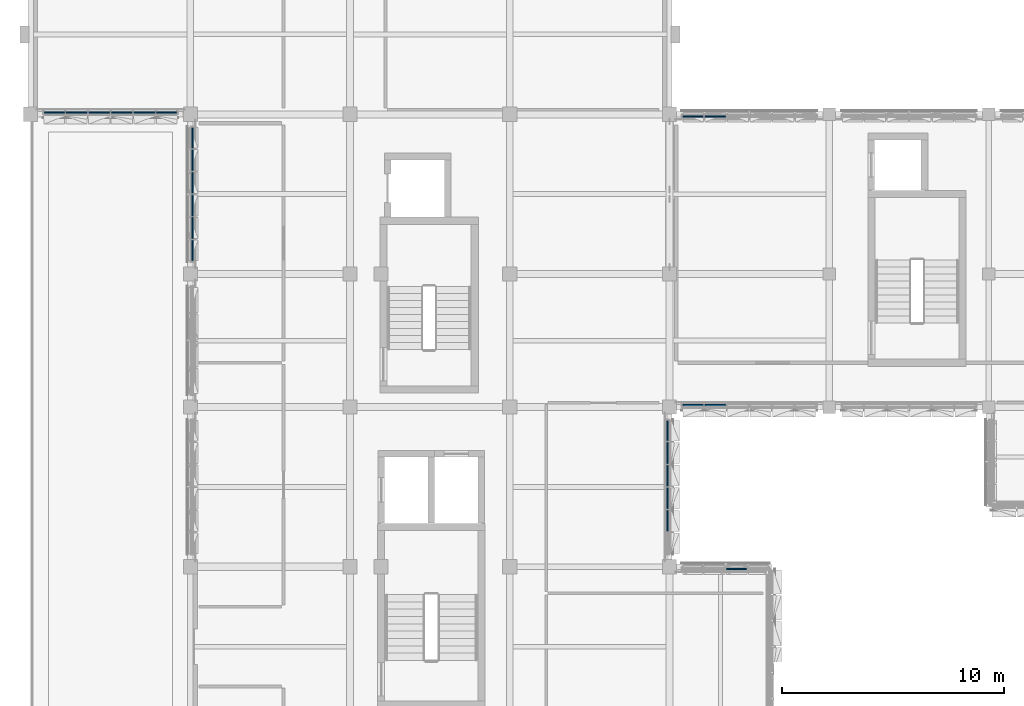
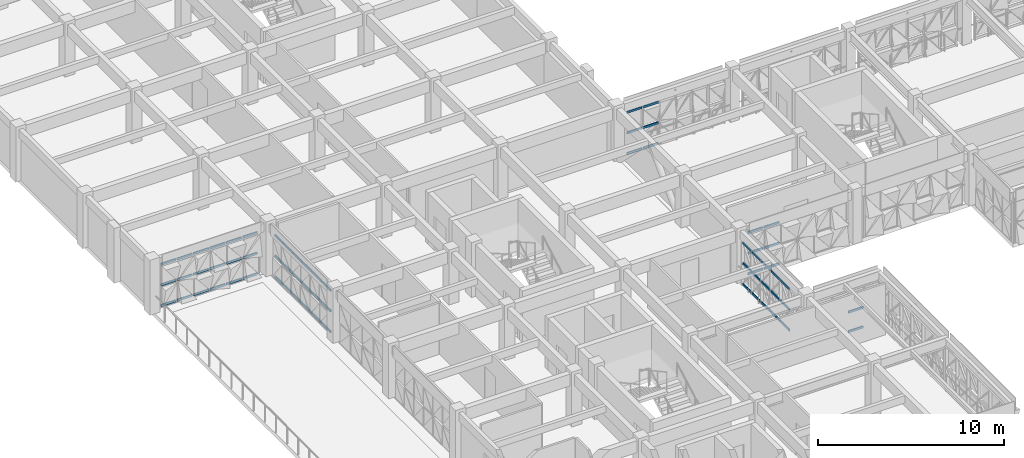
# One storey, part 24 of 85: 65 members, 6 elements without a shape of their own.
"""IFC4 building model written with IfcOpenShell, lengths in metres."""

import ifcopenshell
import ifcopenshell.guid

model = None  # the IFC model being written
_history = None  # IfcOwnerHistory: only IFC2X3 demands one
_inside = {}  # id of a spatial element -> (the spatial element, [elements in it])
_under = {}  # id of a project, library or spatial element -> (it, [spatial elements below it])
_declared = {}  # id of a project -> (the project, [libraries it declares])
_typed = {}  # id of a type object -> (the type object, [elements of that type])
_made_of = {}  # id of a material, layer set ... -> (it, [elements and type objects made of it])


def new_model(schema):
    """Start an empty IFC model of exactly this schema.

    Asked for "IFC4X3", IfcOpenShell would pick the latest addendum, in which some entities
    have other attributes; the version numbers below select the first issue.
    IFC2X3 requires an IfcOwnerHistory on every rooted entity: one is made here for all.
    """
    global model, _history
    if schema == "IFC4X3":
        model = ifcopenshell.file(schema_version=(4, 3, 0, 0))
    else:
        model = ifcopenshell.file(schema=schema)
    _inside.clear()
    _under.clear()
    _declared.clear()
    _typed.clear()
    _made_of.clear()
    _history = None
    if model.schema == "IFC2X3":
        org = make("IfcOrganization", Name="unknown")
        user = make(
            "IfcPersonAndOrganization",
            ThePerson=make("IfcPerson", FamilyName="unknown"),
            TheOrganization=org,
        )
        app = make(
            "IfcApplication",
            ApplicationDeveloper=org,
            Version="unknown",
            ApplicationFullName="unknown",
            ApplicationIdentifier="unknown",
        )
        _history = make(
            "IfcOwnerHistory",
            OwningUser=user,
            OwningApplication=app,
            ChangeAction="ADDED",
            CreationDate=0,
        )
    return model


def make(cls, **values):
    """One entity of the class cls with the attributes given. An attribute that is None is left unset."""
    return model.create_entity(
        cls, **{name: value for name, value in values.items() if value is not None}
    )


def rooted(cls, **values):
    """An entity with a GlobalId (a new one), such as an element, a storey or a relation."""
    return make(cls, GlobalId=ifcopenshell.guid.new(), OwnerHistory=_history, **values)


def si_unit(unit_type, name, prefix=None):
    """IfcSIUnit, for example si_unit("LENGTHUNIT", "METRE", prefix="MILLI")."""
    return make("IfcSIUnit", UnitType=unit_type, Prefix=prefix, Name=name)


def assignment(units):
    """IfcUnitAssignment: the units of a project."""
    return None if units is None else make("IfcUnitAssignment", Units=units)


def point(xyz):
    """IfcCartesianPoint."""
    return None if xyz is None else make("IfcCartesianPoint", Coordinates=xyz)


def direction(xyz):
    """IfcDirection."""
    return None if xyz is None else make("IfcDirection", DirectionRatios=xyz)


def frame(location, z_axis=None, x_axis=None):
    """IfcAxis2Placement3D, a coordinate frame: its origin and axes. An axis left out is left unset."""
    return make(
        "IfcAxis2Placement3D",
        Location=point(location),
        Axis=direction(z_axis),
        RefDirection=direction(x_axis),
    )


def frame_2d(location, x_axis=None):
    """IfcAxis2Placement2D, a coordinate frame in the plane: its origin and x axis."""
    return make(
        "IfcAxis2Placement2D", Location=point(location), RefDirection=direction(x_axis)
    )


def origin():
    """The frame at (0, 0, 0) with its axes left unset."""
    return frame((0.0, 0.0, 0.0))


def origin_2d():
    """The frame at (0, 0) in the plane with its x axis left unset."""
    return frame_2d((0.0, 0.0))


def place(relative_to, where):
    """IfcLocalPlacement: puts the frame where relative to a parent placement (None: the world)."""
    return make(
        "IfcLocalPlacement", PlacementRelTo=relative_to, RelativePlacement=where
    )


def context(
    kind, dimensions, precision=None, world=None, true_north=None, identifier=None
):
    """IfcGeometricRepresentationContext, for example the 3D "Model" context."""
    return make(
        "IfcGeometricRepresentationContext",
        ContextIdentifier=identifier,
        ContextType=kind,
        CoordinateSpaceDimension=dimensions,
        Precision=precision,
        WorldCoordinateSystem=world,
        TrueNorth=true_north,
    )


def subcontext(parent, identifier, kind, view, scale=None):
    """IfcGeometricRepresentationSubContext, for example "Body" below "Model"."""
    return make(
        "IfcGeometricRepresentationSubContext",
        ContextIdentifier=identifier,
        ContextType=kind,
        ParentContext=parent,
        TargetScale=scale,
        TargetView=view,
    )


def project(units=None, contexts=None):
    """IfcProject with its units and contexts."""
    return rooted(
        "IfcProject",
        Name="project",
        RepresentationContexts=contexts,
        UnitsInContext=assignment(units),
    )


def spatial(cls, under=None, at=None, **own):
    """A site, building, storey or space (cls), placed at a placement, below another one or the project."""
    s = rooted(cls, ObjectPlacement=at, **own)
    if under is not None:
        _under.setdefault(under.id(), (under, []))[1].append(s)
    return s


def profile(cls, at=None, kind="AREA", **sizes):
    """A parametric profile (cls). Its sizes go by their IFC names, for example OverallWidth=200.0."""
    return make(cls, ProfileType=kind, Position=at, **sizes)


def rectangle(**sizes):
    """IfcRectangleProfileDef."""
    return profile("IfcRectangleProfileDef", **sizes)


def extrude(swept, where, along, depth):
    """IfcExtrudedAreaSolid: the profile swept, set in the frame where, extruded along a direction by depth."""
    return make(
        "IfcExtrudedAreaSolid",
        SweptArea=swept,
        Position=where,
        ExtrudedDirection=direction(along),
        Depth=depth,
    )


def shape(context_of_items, identifier, shape_type, items):
    """IfcShapeRepresentation: the items that make up one representation, for example the "Body"."""
    return make(
        "IfcShapeRepresentation",
        ContextOfItems=context_of_items,
        RepresentationIdentifier=identifier,
        RepresentationType=shape_type,
        Items=items,
    )


def material(Name=None, Category=None):
    """IfcMaterial."""
    return make("IfcMaterial", Name=Name, Category=Category)


def material_profile(
    of_material, cross_section, Name=None, Category=None, Priority=None
):
    """IfcMaterialProfile: a cross section and its material."""
    return make(
        "IfcMaterialProfile",
        Name=Name,
        Material=of_material,
        Profile=cross_section,
        Priority=Priority,
        Category=Category,
    )


def profile_set(profiles, Name=None, composite=None):
    """IfcMaterialProfileSet."""
    return make(
        "IfcMaterialProfileSet",
        Name=Name,
        MaterialProfiles=profiles,
        CompositeProfile=composite,
    )


def made_of(thing, what):
    """Note that an element or type object is made of a material, layer set ...; save() writes the relation."""
    if what is not None:
        _made_of.setdefault(what.id(), (what, []))[1].append(thing)
    return thing


def type_object(cls, material=None, **own):
    """A type object (cls), such as IfcWallType, which elements share."""
    return made_of(rooted(cls, **own), material)


def element(
    cls,
    number,
    at=None,
    inside=None,
    cuts=None,
    type_object=None,
    material=None,
    context=None,
    identifier="Body",
    shape_type=None,
    held_by="IfcProductDefinitionShape",
    body=None,
    shapes=None,
    **own,
):
    """One element of the class cls, such as IfcWall. Its Tag is "e" and its number.

    at: its placement. inside: the storey or other place that contains it. cuts: it is an
    opening in that element (IfcRelVoidsElement). A single representation is given by context,
    identifier, shape_type and body (its items); several are given by shapes. held_by: the class
    of the entity that holds the representations. save() writes the other relations.
    """
    e = rooted(cls, Tag="e%d" % number, ObjectPlacement=at, **own)
    if body is not None:
        shapes = [shape(context, identifier, shape_type, body)]
    if shapes is not None:
        e.Representation = make(held_by, Representations=shapes)
    if inside is not None:
        _inside.setdefault(inside.id(), (inside, []))[1].append(e)
    if cuts is not None:
        rooted(
            "IfcRelVoidsElement", RelatingBuildingElement=cuts, RelatedOpeningElement=e
        )
    if type_object is not None:
        _typed.setdefault(type_object.id(), (type_object, []))[1].append(e)
    return made_of(e, material)


def aggregate(whole, parts):
    """IfcRelAggregates: a whole, such as a stair, and the parts it consists of."""
    return rooted("IfcRelAggregates", RelatingObject=whole, RelatedObjects=parts)


def save(model, path):
    """Write the relations noted so far, then the file.

    IfcRelAggregates (storeys below a building ...), IfcRelContainedInSpatialStructure (elements
    in a storey), IfcRelDefinesByType, IfcRelAssociatesMaterial and IfcRelDeclares: one each for
    every whole, place, type object, material and project.
    """
    for whole, parts in _under.values():
        aggregate(whole, parts)
    for where, things in _inside.values():
        rooted(
            "IfcRelContainedInSpatialStructure",
            RelatedElements=things,
            RelatingStructure=where,
        )
    for kind, things in _typed.values():
        rooted("IfcRelDefinesByType", RelatedObjects=things, RelatingType=kind)
    for what, things in _made_of.values():
        rooted("IfcRelAssociatesMaterial", RelatedObjects=things, RelatingMaterial=what)
    for by, libraries in _declared.values():
        rooted("IfcRelDeclares", RelatingContext=by, RelatedDefinitions=libraries)
    model.write(path)


model = new_model("IFC4")

# Units and contexts
model_context = context("Model", 3, precision=1e-05, world=origin(), true_north=direction((0.0, 1.0)))
body_context = subcontext(model_context, "Body", "Model", "MODEL_VIEW")
ifc_project = project(units=[si_unit("LENGTHUNIT", "METRE"), si_unit("AREAUNIT", "SQUARE_METRE"), si_unit("VOLUMEUNIT", "CUBIC_METRE"), si_unit("PLANEANGLEUNIT", "RADIAN"), si_unit("MASSUNIT", "GRAM", prefix="KILO")], contexts=[model_context])

# Site, building, storey
site_placement = place(None, origin())
site = spatial("IfcSite", under=ifc_project, at=site_placement, CompositionType="ELEMENT")
building_placement = place(site_placement, origin())
building = spatial("IfcBuilding", under=site, at=building_placement, Name="Alvorim Cloister Faculty of Sciences", CompositionType="ELEMENT")
storey_placement = place(building_placement, frame((0.0, 0.0, 8.550048828125)))
storey = spatial("IfcBuildingStorey", under=building, at=storey_placement, Name="L02", CompositionType="ELEMENT", Elevation=8.550048828125)

# Curtain wall, members
ifc_material_1 = material(Name="Aluminium and Low-E Glass Curtain Wall", Category="aluminium")
curtain_wall_type_1 = type_object("IfcCurtainWallType", Name="CW-TRI-6120x2850", PredefinedType="USERDEFINED", material=ifc_material_1)
curtain_wall_1_placement = place(storey_placement, origin())
curtain_wall_1 = element("IfcCurtainWall", 1, at=curtain_wall_1_placement, inside=storey, type_object=curtain_wall_type_1, Name="L02 Diagonal Cassette Curtain Wall CW-0054", ObjectType="UNITISED CURTAIN WALL", PredefinedType="USERDEFINED")
ifc_material_2 = material(Name="Aluminium Alloy 6063-T6", Category="aluminium")
ifc_material_profile = material_profile(ifc_material_2, rectangle(XDim=0.06494140625, YDim=0.139892578125, at=origin_2d()), Name="ALU-TRN-65x140")
ifc_profile_set = profile_set([ifc_material_profile], Name="Aluminium Alloy 6063-T6")
member_type = type_object("IfcMemberType", Name="CW-TRN-65x140", PredefinedType="USERDEFINED", material=ifc_profile_set)
member_1_placement = place(storey_placement, frame((7.2900390625, 49.804931640625, 0.070068359375), z_axis=(0.0, 1.0, 0.0), x_axis=(-1.0, 0.0, 0.0)))
member_1 = element("IfcMember", 2, at=member_1_placement, type_object=member_type, Name="CW-0054 Transom 1.1", ObjectType="TRANSOM", PredefinedType="USERDEFINED", context=body_context, shape_type="SweptSolid", body=[
    extrude(rectangle(XDim=0.06494140625, YDim=0.139892578125, at=origin_2d()), origin(), (0.0, 0.0, 1.0), 0.922607421875),
])
member_2_placement = place(storey_placement, frame((7.2900390625, 49.804931640625, 1.425048828125), z_axis=(0.0, 1.0, 0.0), x_axis=(-1.0, 0.0, 0.0)))
member_2 = element("IfcMember", 3, at=member_2_placement, type_object=member_type, Name="CW-0054 Transom 1.2", ObjectType="TRANSOM", PredefinedType="USERDEFINED", context=body_context, shape_type="SweptSolid", body=[
    extrude(rectangle(XDim=0.06494140625, YDim=0.139892578125, at=origin_2d()), origin(), (0.0, 0.0, 1.0), 0.922607421875),
])
member_3_placement = place(storey_placement, frame((7.2900390625, 49.804931640625, 2.780029296875), z_axis=(0.0, 1.0, 0.0), x_axis=(-1.0, 0.0, 0.0)))
member_3 = element("IfcMember", 4, at=member_3_placement, type_object=member_type, Name="CW-0054 Transom 1.3", ObjectType="TRANSOM", PredefinedType="USERDEFINED", context=body_context, shape_type="SweptSolid", body=[
    extrude(rectangle(XDim=0.06494140625, YDim=0.139892578125, at=origin_2d()), origin(), (0.0, 0.0, 1.0), 0.922607421875),
])
member_4_placement = place(storey_placement, frame((7.2900390625, 50.79248046875, 0.070068359375), z_axis=(0.0, 1.0, 0.0), x_axis=(-1.0, 0.0, 0.0)))
member_4 = element("IfcMember", 5, at=member_4_placement, type_object=member_type, Name="CW-0054 Transom 2.1", ObjectType="TRANSOM", PredefinedType="USERDEFINED", context=body_context, shape_type="SweptSolid", body=[
    extrude(rectangle(XDim=0.06494140625, YDim=0.139892578125, at=origin_2d()), origin(), (0.0, 0.0, 1.0), 0.955078125),
])
member_5_placement = place(storey_placement, frame((7.2900390625, 50.79248046875, 1.425048828125), z_axis=(0.0, 1.0, 0.0), x_axis=(-1.0, 0.0, 0.0)))
member_5 = element("IfcMember", 6, at=member_5_placement, type_object=member_type, Name="CW-0054 Transom 2.2", ObjectType="TRANSOM", PredefinedType="USERDEFINED", context=body_context, shape_type="SweptSolid", body=[
    extrude(rectangle(XDim=0.06494140625, YDim=0.139892578125, at=origin_2d()), origin(), (0.0, 0.0, 1.0), 0.955078125),
])
member_6_placement = place(storey_placement, frame((7.2900390625, 50.79248046875, 2.780029296875), z_axis=(0.0, 1.0, 0.0), x_axis=(-1.0, 0.0, 0.0)))
member_6 = element("IfcMember", 7, at=member_6_placement, type_object=member_type, Name="CW-0054 Transom 2.3", ObjectType="TRANSOM", PredefinedType="USERDEFINED", context=body_context, shape_type="SweptSolid", body=[
    extrude(rectangle(XDim=0.06494140625, YDim=0.139892578125, at=origin_2d()), origin(), (0.0, 0.0, 1.0), 0.955078125),
])
member_7_placement = place(storey_placement, frame((7.2900390625, 51.8125, 0.070068359375), z_axis=(0.0, 1.0, 0.0), x_axis=(-1.0, 0.0, 0.0)))
member_7 = element("IfcMember", 8, at=member_7_placement, type_object=member_type, Name="CW-0054 Transom 3.1", ObjectType="TRANSOM", PredefinedType="USERDEFINED", context=body_context, shape_type="SweptSolid", body=[
    extrude(rectangle(XDim=0.06494140625, YDim=0.139892578125, at=origin_2d()), origin(), (0.0, 0.0, 1.0), 0.955078125),
])
member_8_placement = place(storey_placement, frame((7.2900390625, 51.8125, 1.425048828125), z_axis=(0.0, 1.0, 0.0), x_axis=(-1.0, 0.0, 0.0)))
member_8 = element("IfcMember", 9, at=member_8_placement, type_object=member_type, Name="CW-0054 Transom 3.2", ObjectType="TRANSOM", PredefinedType="USERDEFINED", context=body_context, shape_type="SweptSolid", body=[
    extrude(rectangle(XDim=0.06494140625, YDim=0.139892578125, at=origin_2d()), origin(), (0.0, 0.0, 1.0), 0.955078125),
])
member_9_placement = place(storey_placement, frame((7.2900390625, 51.8125, 2.780029296875), z_axis=(0.0, 1.0, 0.0), x_axis=(-1.0, 0.0, 0.0)))
member_9 = element("IfcMember", 10, at=member_9_placement, type_object=member_type, Name="CW-0054 Transom 3.3", ObjectType="TRANSOM", PredefinedType="USERDEFINED", context=body_context, shape_type="SweptSolid", body=[
    extrude(rectangle(XDim=0.06494140625, YDim=0.139892578125, at=origin_2d()), origin(), (0.0, 0.0, 1.0), 0.955078125),
])
member_10_placement = place(storey_placement, frame((7.2900390625, 52.83251953125, 0.070068359375), z_axis=(0.0, 1.0, 0.0), x_axis=(-1.0, 0.0, 0.0)))
member_10 = element("IfcMember", 11, at=member_10_placement, type_object=member_type, Name="CW-0054 Transom 4.1", ObjectType="TRANSOM", PredefinedType="USERDEFINED", context=body_context, shape_type="SweptSolid", body=[
    extrude(rectangle(XDim=0.06494140625, YDim=0.139892578125, at=origin_2d()), origin(), (0.0, 0.0, 1.0), 0.955078125),
])
member_11_placement = place(storey_placement, frame((7.2900390625, 52.83251953125, 1.425048828125), z_axis=(0.0, 1.0, 0.0), x_axis=(-1.0, 0.0, 0.0)))
member_11 = element("IfcMember", 12, at=member_11_placement, type_object=member_type, Name="CW-0054 Transom 4.2", ObjectType="TRANSOM", PredefinedType="USERDEFINED", context=body_context, shape_type="SweptSolid", body=[
    extrude(rectangle(XDim=0.06494140625, YDim=0.139892578125, at=origin_2d()), origin(), (0.0, 0.0, 1.0), 0.955078125),
])
member_12_placement = place(storey_placement, frame((7.2900390625, 52.83251953125, 2.780029296875), z_axis=(0.0, 1.0, 0.0), x_axis=(-1.0, 0.0, 0.0)))
member_12 = element("IfcMember", 13, at=member_12_placement, type_object=member_type, Name="CW-0054 Transom 4.3", ObjectType="TRANSOM", PredefinedType="USERDEFINED", context=body_context, shape_type="SweptSolid", body=[
    extrude(rectangle(XDim=0.06494140625, YDim=0.139892578125, at=origin_2d()), origin(), (0.0, 0.0, 1.0), 0.955078125),
])
member_13_placement = place(storey_placement, frame((7.2900390625, 53.8525390625, 0.070068359375), z_axis=(0.0, 1.0, 0.0), x_axis=(-1.0, 0.0, 0.0)))
member_13 = element("IfcMember", 14, at=member_13_placement, type_object=member_type, Name="CW-0054 Transom 5.1", ObjectType="TRANSOM", PredefinedType="USERDEFINED", context=body_context, shape_type="SweptSolid", body=[
    extrude(rectangle(XDim=0.06494140625, YDim=0.139892578125, at=origin_2d()), origin(), (0.0, 0.0, 1.0), 0.955078125),
])
member_14_placement = place(storey_placement, frame((7.2900390625, 53.8525390625, 1.425048828125), z_axis=(0.0, 1.0, 0.0), x_axis=(-1.0, 0.0, 0.0)))
member_14 = element("IfcMember", 15, at=member_14_placement, type_object=member_type, Name="CW-0054 Transom 5.2", ObjectType="TRANSOM", PredefinedType="USERDEFINED", context=body_context, shape_type="SweptSolid", body=[
    extrude(rectangle(XDim=0.06494140625, YDim=0.139892578125, at=origin_2d()), origin(), (0.0, 0.0, 1.0), 0.955078125),
])
member_15_placement = place(storey_placement, frame((7.2900390625, 53.8525390625, 2.780029296875), z_axis=(0.0, 1.0, 0.0), x_axis=(-1.0, 0.0, 0.0)))
member_15 = element("IfcMember", 16, at=member_15_placement, type_object=member_type, Name="CW-0054 Transom 5.3", ObjectType="TRANSOM", PredefinedType="USERDEFINED", context=body_context, shape_type="SweptSolid", body=[
    extrude(rectangle(XDim=0.06494140625, YDim=0.139892578125, at=origin_2d()), origin(), (0.0, 0.0, 1.0), 0.955078125),
])
member_16_placement = place(storey_placement, frame((7.2900390625, 54.87255859375, 0.070068359375), z_axis=(0.0, 1.0, 0.0), x_axis=(-1.0, 0.0, 0.0)))
member_16 = element("IfcMember", 17, at=member_16_placement, type_object=member_type, Name="CW-0054 Transom 6.1", ObjectType="TRANSOM", PredefinedType="USERDEFINED", context=body_context, shape_type="SweptSolid", body=[
    extrude(rectangle(XDim=0.06494140625, YDim=0.139892578125, at=origin_2d()), origin(), (0.0, 0.0, 1.0), 0.92236328125),
])
member_17_placement = place(storey_placement, frame((7.2900390625, 54.87255859375, 1.425048828125), z_axis=(0.0, 1.0, 0.0), x_axis=(-1.0, 0.0, 0.0)))
member_17 = element("IfcMember", 18, at=member_17_placement, type_object=member_type, Name="CW-0054 Transom 6.2", ObjectType="TRANSOM", PredefinedType="USERDEFINED", context=body_context, shape_type="SweptSolid", body=[
    extrude(rectangle(XDim=0.06494140625, YDim=0.139892578125, at=origin_2d()), origin(), (0.0, 0.0, 1.0), 0.92236328125),
])
member_18_placement = place(storey_placement, frame((7.2900390625, 54.87255859375, 2.780029296875), z_axis=(0.0, 1.0, 0.0), x_axis=(-1.0, 0.0, 0.0)))
member_18 = element("IfcMember", 19, at=member_18_placement, type_object=member_type, Name="CW-0054 Transom 6.3", ObjectType="TRANSOM", PredefinedType="USERDEFINED", context=body_context, shape_type="SweptSolid", body=[
    extrude(rectangle(XDim=0.06494140625, YDim=0.139892578125, at=origin_2d()), origin(), (0.0, 0.0, 1.0), 0.92236328125),
])
aggregate(curtain_wall_1, [member_1, member_2, member_3, member_4, member_5, member_6, member_7, member_8, member_9, member_10, member_11, member_12, member_13, member_14, member_15, member_16, member_17, member_18])

curtain_wall_2_placement = place(storey_placement, origin())
curtain_wall_2 = element("IfcCurtainWall", 20, at=curtain_wall_2_placement, inside=storey, type_object=curtain_wall_type_1, Name="L02 Diagonal Cassette Curtain Wall CW-0055", ObjectType="UNITISED CURTAIN WALL", PredefinedType="USERDEFINED")
member_19_placement = place(storey_placement, frame((0.60498046875, 56.489990234375, 0.070068359375), z_axis=(1.0, 0.0, 0.0), x_axis=(0.0, 1.0, 0.0)))
member_19 = element("IfcMember", 21, at=member_19_placement, type_object=member_type, Name="CW-0055 Transom 1.1", ObjectType="TRANSOM", PredefinedType="USERDEFINED", context=body_context, shape_type="SweptSolid", body=[
    extrude(rectangle(XDim=0.06494140625, YDim=0.139892578125, at=origin_2d()), origin(), (0.0, 0.0, 1.0), 0.922607421875),
])
member_20_placement = place(storey_placement, frame((0.60498046875, 56.489990234375, 1.425048828125), z_axis=(1.0, 0.0, 0.0), x_axis=(0.0, 1.0, 0.0)))
member_20 = element("IfcMember", 22, at=member_20_placement, type_object=member_type, Name="CW-0055 Transom 1.2", ObjectType="TRANSOM", PredefinedType="USERDEFINED", context=body_context, shape_type="SweptSolid", body=[
    extrude(rectangle(XDim=0.06494140625, YDim=0.139892578125, at=origin_2d()), origin(), (0.0, 0.0, 1.0), 0.922607421875),
])
member_21_placement = place(storey_placement, frame((0.60498046875, 56.489990234375, 2.780029296875), z_axis=(1.0, 0.0, 0.0), x_axis=(0.0, 1.0, 0.0)))
member_21 = element("IfcMember", 23, at=member_21_placement, type_object=member_type, Name="CW-0055 Transom 1.3", ObjectType="TRANSOM", PredefinedType="USERDEFINED", context=body_context, shape_type="SweptSolid", body=[
    extrude(rectangle(XDim=0.06494140625, YDim=0.139892578125, at=origin_2d()), origin(), (0.0, 0.0, 1.0), 0.922607421875),
])
member_22_placement = place(storey_placement, frame((1.592529296875, 56.489990234375, 0.070068359375), z_axis=(1.0, 0.0, 0.0), x_axis=(0.0, 1.0, 0.0)))
member_22 = element("IfcMember", 24, at=member_22_placement, type_object=member_type, Name="CW-0055 Transom 2.1", ObjectType="TRANSOM", PredefinedType="USERDEFINED", context=body_context, shape_type="SweptSolid", body=[
    extrude(rectangle(XDim=0.06494140625, YDim=0.139892578125, at=origin_2d()), origin(), (0.0, 0.0, 1.0), 0.955078125),
])
member_23_placement = place(storey_placement, frame((1.592529296875, 56.489990234375, 1.425048828125), z_axis=(1.0, 0.0, 0.0), x_axis=(0.0, 1.0, 0.0)))
member_23 = element("IfcMember", 25, at=member_23_placement, type_object=member_type, Name="CW-0055 Transom 2.2", ObjectType="TRANSOM", PredefinedType="USERDEFINED", context=body_context, shape_type="SweptSolid", body=[
    extrude(rectangle(XDim=0.06494140625, YDim=0.139892578125, at=origin_2d()), origin(), (0.0, 0.0, 1.0), 0.955078125),
])
member_24_placement = place(storey_placement, frame((1.592529296875, 56.489990234375, 2.780029296875), z_axis=(1.0, 0.0, 0.0), x_axis=(0.0, 1.0, 0.0)))
member_24 = element("IfcMember", 26, at=member_24_placement, type_object=member_type, Name="CW-0055 Transom 2.3", ObjectType="TRANSOM", PredefinedType="USERDEFINED", context=body_context, shape_type="SweptSolid", body=[
    extrude(rectangle(XDim=0.06494140625, YDim=0.139892578125, at=origin_2d()), origin(), (0.0, 0.0, 1.0), 0.955078125),
])
member_25_placement = place(storey_placement, frame((2.612548828125, 56.489990234375, 0.070068359375), z_axis=(1.0, 0.0, 0.0), x_axis=(0.0, 1.0, 0.0)))
member_25 = element("IfcMember", 27, at=member_25_placement, type_object=member_type, Name="CW-0055 Transom 3.1", ObjectType="TRANSOM", PredefinedType="USERDEFINED", context=body_context, shape_type="SweptSolid", body=[
    extrude(rectangle(XDim=0.06494140625, YDim=0.139892578125, at=origin_2d()), origin(), (0.0, 0.0, 1.0), 0.954833984375),
])
member_26_placement = place(storey_placement, frame((2.612548828125, 56.489990234375, 1.425048828125), z_axis=(1.0, 0.0, 0.0), x_axis=(0.0, 1.0, 0.0)))
member_26 = element("IfcMember", 28, at=member_26_placement, type_object=member_type, Name="CW-0055 Transom 3.2", ObjectType="TRANSOM", PredefinedType="USERDEFINED", context=body_context, shape_type="SweptSolid", body=[
    extrude(rectangle(XDim=0.06494140625, YDim=0.139892578125, at=origin_2d()), origin(), (0.0, 0.0, 1.0), 0.954833984375),
])
member_27_placement = place(storey_placement, frame((2.612548828125, 56.489990234375, 2.780029296875), z_axis=(1.0, 0.0, 0.0), x_axis=(0.0, 1.0, 0.0)))
member_27 = element("IfcMember", 29, at=member_27_placement, type_object=member_type, Name="CW-0055 Transom 3.3", ObjectType="TRANSOM", PredefinedType="USERDEFINED", context=body_context, shape_type="SweptSolid", body=[
    extrude(rectangle(XDim=0.06494140625, YDim=0.139892578125, at=origin_2d()), origin(), (0.0, 0.0, 1.0), 0.954833984375),
])
member_28_placement = place(storey_placement, frame((3.632568359375, 56.489990234375, 0.070068359375), z_axis=(1.0, 0.0, 0.0), x_axis=(0.0, 1.0, 0.0)))
member_28 = element("IfcMember", 30, at=member_28_placement, type_object=member_type, Name="CW-0055 Transom 4.1", ObjectType="TRANSOM", PredefinedType="USERDEFINED", context=body_context, shape_type="SweptSolid", body=[
    extrude(rectangle(XDim=0.06494140625, YDim=0.139892578125, at=origin_2d()), origin(), (0.0, 0.0, 1.0), 0.954833984375),
])
member_29_placement = place(storey_placement, frame((3.632568359375, 56.489990234375, 1.425048828125), z_axis=(1.0, 0.0, 0.0), x_axis=(0.0, 1.0, 0.0)))
member_29 = element("IfcMember", 31, at=member_29_placement, type_object=member_type, Name="CW-0055 Transom 4.2", ObjectType="TRANSOM", PredefinedType="USERDEFINED", context=body_context, shape_type="SweptSolid", body=[
    extrude(rectangle(XDim=0.06494140625, YDim=0.139892578125, at=origin_2d()), origin(), (0.0, 0.0, 1.0), 0.954833984375),
])
member_30_placement = place(storey_placement, frame((3.632568359375, 56.489990234375, 2.780029296875), z_axis=(1.0, 0.0, 0.0), x_axis=(0.0, 1.0, 0.0)))
member_30 = element("IfcMember", 32, at=member_30_placement, type_object=member_type, Name="CW-0055 Transom 4.3", ObjectType="TRANSOM", PredefinedType="USERDEFINED", context=body_context, shape_type="SweptSolid", body=[
    extrude(rectangle(XDim=0.06494140625, YDim=0.139892578125, at=origin_2d()), origin(), (0.0, 0.0, 1.0), 0.954833984375),
])
member_31_placement = place(storey_placement, frame((4.652587890625, 56.489990234375, 0.070068359375), z_axis=(1.0, 0.0, 0.0), x_axis=(0.0, 1.0, 0.0)))
member_31 = element("IfcMember", 33, at=member_31_placement, type_object=member_type, Name="CW-0055 Transom 5.1", ObjectType="TRANSOM", PredefinedType="USERDEFINED", context=body_context, shape_type="SweptSolid", body=[
    extrude(rectangle(XDim=0.06494140625, YDim=0.139892578125, at=origin_2d()), origin(), (0.0, 0.0, 1.0), 0.954833984375),
])
member_32_placement = place(storey_placement, frame((4.652587890625, 56.489990234375, 1.425048828125), z_axis=(1.0, 0.0, 0.0), x_axis=(0.0, 1.0, 0.0)))
member_32 = element("IfcMember", 34, at=member_32_placement, type_object=member_type, Name="CW-0055 Transom 5.2", ObjectType="TRANSOM", PredefinedType="USERDEFINED", context=body_context, shape_type="SweptSolid", body=[
    extrude(rectangle(XDim=0.06494140625, YDim=0.139892578125, at=origin_2d()), origin(), (0.0, 0.0, 1.0), 0.954833984375),
])
member_33_placement = place(storey_placement, frame((4.652587890625, 56.489990234375, 2.780029296875), z_axis=(1.0, 0.0, 0.0), x_axis=(0.0, 1.0, 0.0)))
member_33 = element("IfcMember", 35, at=member_33_placement, type_object=member_type, Name="CW-0055 Transom 5.3", ObjectType="TRANSOM", PredefinedType="USERDEFINED", context=body_context, shape_type="SweptSolid", body=[
    extrude(rectangle(XDim=0.06494140625, YDim=0.139892578125, at=origin_2d()), origin(), (0.0, 0.0, 1.0), 0.954833984375),
])
member_34_placement = place(storey_placement, frame((5.672607421875, 56.489990234375, 0.070068359375), z_axis=(1.0, 0.0, 0.0), x_axis=(0.0, 1.0, 0.0)))
member_34 = element("IfcMember", 36, at=member_34_placement, type_object=member_type, Name="CW-0055 Transom 6.1", ObjectType="TRANSOM", PredefinedType="USERDEFINED", context=body_context, shape_type="SweptSolid", body=[
    extrude(rectangle(XDim=0.06494140625, YDim=0.139892578125, at=origin_2d()), origin(), (0.0, 0.0, 1.0), 0.92236328125),
])
member_35_placement = place(storey_placement, frame((5.672607421875, 56.489990234375, 1.425048828125), z_axis=(1.0, 0.0, 0.0), x_axis=(0.0, 1.0, 0.0)))
member_35 = element("IfcMember", 37, at=member_35_placement, type_object=member_type, Name="CW-0055 Transom 6.2", ObjectType="TRANSOM", PredefinedType="USERDEFINED", context=body_context, shape_type="SweptSolid", body=[
    extrude(rectangle(XDim=0.06494140625, YDim=0.139892578125, at=origin_2d()), origin(), (0.0, 0.0, 1.0), 0.92236328125),
])
member_36_placement = place(storey_placement, frame((5.672607421875, 56.489990234375, 2.780029296875), z_axis=(1.0, 0.0, 0.0), x_axis=(0.0, 1.0, 0.0)))
member_36 = element("IfcMember", 38, at=member_36_placement, type_object=member_type, Name="CW-0055 Transom 6.3", ObjectType="TRANSOM", PredefinedType="USERDEFINED", context=body_context, shape_type="SweptSolid", body=[
    extrude(rectangle(XDim=0.06494140625, YDim=0.139892578125, at=origin_2d()), origin(), (0.0, 0.0, 1.0), 0.92236328125),
])
aggregate(curtain_wall_2, [member_19, member_20, member_21, member_22, member_23, member_24, member_25, member_26, member_27, member_28, member_29, member_30, member_31, member_32, member_33, member_34, member_35, member_36])

curtain_wall_3_placement = place(storey_placement, origin())
curtain_wall_3 = element("IfcCurtainWall", 39, at=curtain_wall_3_placement, inside=storey, type_object=curtain_wall_type_1, Name="L02 Diagonal Cassette Curtain Wall CW-0056", ObjectType="UNITISED CURTAIN WALL", PredefinedType="USERDEFINED")
member_37_placement = place(storey_placement, frame((29.405029296875, 56.31005859375, 0.070068359375), z_axis=(1.0, 0.0, 0.0), x_axis=(0.0, 1.0, 0.0)))
member_37 = element("IfcMember", 40, at=member_37_placement, type_object=member_type, Name="CW-0056 Transom 1.1", ObjectType="TRANSOM", PredefinedType="USERDEFINED", context=body_context, shape_type="SweptSolid", body=[
    extrude(rectangle(XDim=0.06494140625, YDim=0.139892578125, at=origin_2d()), origin(), (0.0, 0.0, 1.0), 0.92236328125),
])
member_38_placement = place(storey_placement, frame((29.405029296875, 56.31005859375, 1.425048828125), z_axis=(1.0, 0.0, 0.0), x_axis=(0.0, 1.0, 0.0)))
member_38 = element("IfcMember", 41, at=member_38_placement, type_object=member_type, Name="CW-0056 Transom 1.2", ObjectType="TRANSOM", PredefinedType="USERDEFINED", context=body_context, shape_type="SweptSolid", body=[
    extrude(rectangle(XDim=0.06494140625, YDim=0.139892578125, at=origin_2d()), origin(), (0.0, 0.0, 1.0), 0.92236328125),
])
member_39_placement = place(storey_placement, frame((29.405029296875, 56.31005859375, 2.780029296875), z_axis=(1.0, 0.0, 0.0), x_axis=(0.0, 1.0, 0.0)))
member_39 = element("IfcMember", 42, at=member_39_placement, type_object=member_type, Name="CW-0056 Transom 1.3", ObjectType="TRANSOM", PredefinedType="USERDEFINED", context=body_context, shape_type="SweptSolid", body=[
    extrude(rectangle(XDim=0.06494140625, YDim=0.139892578125, at=origin_2d()), origin(), (0.0, 0.0, 1.0), 0.92236328125),
])
member_40_placement = place(storey_placement, frame((30.392578125, 56.31005859375, 0.070068359375), z_axis=(1.0, 0.0, 0.0), x_axis=(0.0, 1.0, 0.0)))
member_40 = element("IfcMember", 43, at=member_40_placement, type_object=member_type, Name="CW-0056 Transom 2.1", ObjectType="TRANSOM", PredefinedType="USERDEFINED", context=body_context, shape_type="SweptSolid", body=[
    extrude(rectangle(XDim=0.06494140625, YDim=0.139892578125, at=origin_2d()), origin(), (0.0, 0.0, 1.0), 0.954833984375),
])
member_41_placement = place(storey_placement, frame((30.392578125, 56.31005859375, 1.425048828125), z_axis=(1.0, 0.0, 0.0), x_axis=(0.0, 1.0, 0.0)))
member_41 = element("IfcMember", 44, at=member_41_placement, type_object=member_type, Name="CW-0056 Transom 2.2", ObjectType="TRANSOM", PredefinedType="USERDEFINED", context=body_context, shape_type="SweptSolid", body=[
    extrude(rectangle(XDim=0.06494140625, YDim=0.139892578125, at=origin_2d()), origin(), (0.0, 0.0, 1.0), 0.954833984375),
])
member_42_placement = place(storey_placement, frame((30.392578125, 56.31005859375, 2.780029296875), z_axis=(1.0, 0.0, 0.0), x_axis=(0.0, 1.0, 0.0)))
member_42 = element("IfcMember", 45, at=member_42_placement, type_object=member_type, Name="CW-0056 Transom 2.3", ObjectType="TRANSOM", PredefinedType="USERDEFINED", context=body_context, shape_type="SweptSolid", body=[
    extrude(rectangle(XDim=0.06494140625, YDim=0.139892578125, at=origin_2d()), origin(), (0.0, 0.0, 1.0), 0.954833984375),
])
aggregate(curtain_wall_3, [member_37, member_38, member_39, member_40, member_41, member_42])

curtain_wall_4_placement = place(storey_placement, origin())
curtain_wall_4 = element("IfcCurtainWall", 46, at=curtain_wall_4_placement, inside=storey, type_object=curtain_wall_type_1, Name="L02 Diagonal Cassette Curtain Wall CW-0069", ObjectType="UNITISED CURTAIN WALL", PredefinedType="USERDEFINED")
member_43_placement = place(storey_placement, frame((29.405029296875, 43.2900390625, 0.070068359375), z_axis=(1.0, 0.0, 0.0), x_axis=(0.0, 1.0, 0.0)))
member_43 = element("IfcMember", 47, at=member_43_placement, type_object=member_type, Name="CW-0069 Transom 1.1", ObjectType="TRANSOM", PredefinedType="USERDEFINED", context=body_context, shape_type="SweptSolid", body=[
    extrude(rectangle(XDim=0.06494140625, YDim=0.139892578125, at=origin_2d()), origin(), (0.0, 0.0, 1.0), 0.92236328125),
])
member_44_placement = place(storey_placement, frame((29.405029296875, 43.2900390625, 1.425048828125), z_axis=(1.0, 0.0, 0.0), x_axis=(0.0, 1.0, 0.0)))
member_44 = element("IfcMember", 48, at=member_44_placement, type_object=member_type, Name="CW-0069 Transom 1.2", ObjectType="TRANSOM", PredefinedType="USERDEFINED", context=body_context, shape_type="SweptSolid", body=[
    extrude(rectangle(XDim=0.06494140625, YDim=0.139892578125, at=origin_2d()), origin(), (0.0, 0.0, 1.0), 0.92236328125),
])
member_45_placement = place(storey_placement, frame((29.405029296875, 43.2900390625, 2.780029296875), z_axis=(1.0, 0.0, 0.0), x_axis=(0.0, 1.0, 0.0)))
member_45 = element("IfcMember", 49, at=member_45_placement, type_object=member_type, Name="CW-0069 Transom 1.3", ObjectType="TRANSOM", PredefinedType="USERDEFINED", context=body_context, shape_type="SweptSolid", body=[
    extrude(rectangle(XDim=0.06494140625, YDim=0.139892578125, at=origin_2d()), origin(), (0.0, 0.0, 1.0), 0.92236328125),
])
member_46_placement = place(storey_placement, frame((30.392578125, 43.2900390625, 0.070068359375), z_axis=(1.0, 0.0, 0.0), x_axis=(0.0, 1.0, 0.0)))
member_46 = element("IfcMember", 50, at=member_46_placement, type_object=member_type, Name="CW-0069 Transom 2.1", ObjectType="TRANSOM", PredefinedType="USERDEFINED", context=body_context, shape_type="SweptSolid", body=[
    extrude(rectangle(XDim=0.06494140625, YDim=0.139892578125, at=origin_2d()), origin(), (0.0, 0.0, 1.0), 0.954833984375),
])
member_47_placement = place(storey_placement, frame((30.392578125, 43.2900390625, 1.425048828125), z_axis=(1.0, 0.0, 0.0), x_axis=(0.0, 1.0, 0.0)))
member_47 = element("IfcMember", 51, at=member_47_placement, type_object=member_type, Name="CW-0069 Transom 2.2", ObjectType="TRANSOM", PredefinedType="USERDEFINED", context=body_context, shape_type="SweptSolid", body=[
    extrude(rectangle(XDim=0.06494140625, YDim=0.139892578125, at=origin_2d()), origin(), (0.0, 0.0, 1.0), 0.954833984375),
])
member_48_placement = place(storey_placement, frame((30.392578125, 43.2900390625, 2.780029296875), z_axis=(1.0, 0.0, 0.0), x_axis=(0.0, 1.0, 0.0)))
member_48 = element("IfcMember", 52, at=member_48_placement, type_object=member_type, Name="CW-0069 Transom 2.3", ObjectType="TRANSOM", PredefinedType="USERDEFINED", context=body_context, shape_type="SweptSolid", body=[
    extrude(rectangle(XDim=0.06494140625, YDim=0.139892578125, at=origin_2d()), origin(), (0.0, 0.0, 1.0), 0.954833984375),
])
aggregate(curtain_wall_4, [member_43, member_44, member_45, member_46, member_47, member_48])

curtain_wall_5_placement = place(storey_placement, origin())
curtain_wall_5 = element("IfcCurtainWall", 53, at=curtain_wall_5_placement, inside=storey, type_object=curtain_wall_type_1, Name="L02 Diagonal Cassette Curtain Wall CW-0070", ObjectType="UNITISED CURTAIN WALL", PredefinedType="USERDEFINED")
member_49_placement = place(storey_placement, frame((28.7099609375, 37.592529296875, 0.070068359375), z_axis=(0.0, 1.0, 0.0), x_axis=(-1.0, 0.0, 0.0)))
member_49 = element("IfcMember", 54, at=member_49_placement, type_object=member_type, Name="CW-0070 Transom 2.1", ObjectType="TRANSOM", PredefinedType="USERDEFINED", context=body_context, shape_type="SweptSolid", body=[
    extrude(rectangle(XDim=0.06494140625, YDim=0.139892578125, at=origin_2d()), origin(), (0.0, 0.0, 1.0), 0.955078125),
])
member_50_placement = place(storey_placement, frame((28.7099609375, 37.592529296875, 1.425048828125), z_axis=(0.0, 1.0, 0.0), x_axis=(-1.0, 0.0, 0.0)))
member_50 = element("IfcMember", 55, at=member_50_placement, type_object=member_type, Name="CW-0070 Transom 2.2", ObjectType="TRANSOM", PredefinedType="USERDEFINED", context=body_context, shape_type="SweptSolid", body=[
    extrude(rectangle(XDim=0.06494140625, YDim=0.139892578125, at=origin_2d()), origin(), (0.0, 0.0, 1.0), 0.955078125),
])
member_51_placement = place(storey_placement, frame((28.7099609375, 37.592529296875, 2.780029296875), z_axis=(0.0, 1.0, 0.0), x_axis=(-1.0, 0.0, 0.0)))
member_51 = element("IfcMember", 56, at=member_51_placement, type_object=member_type, Name="CW-0070 Transom 2.3", ObjectType="TRANSOM", PredefinedType="USERDEFINED", context=body_context, shape_type="SweptSolid", body=[
    extrude(rectangle(XDim=0.06494140625, YDim=0.139892578125, at=origin_2d()), origin(), (0.0, 0.0, 1.0), 0.955078125),
])
member_52_placement = place(storey_placement, frame((28.7099609375, 38.612548828125, 0.070068359375), z_axis=(0.0, 1.0, 0.0), x_axis=(-1.0, 0.0, 0.0)))
member_52 = element("IfcMember", 57, at=member_52_placement, type_object=member_type, Name="CW-0070 Transom 3.1", ObjectType="TRANSOM", PredefinedType="USERDEFINED", context=body_context, shape_type="SweptSolid", body=[
    extrude(rectangle(XDim=0.06494140625, YDim=0.139892578125, at=origin_2d()), origin(), (0.0, 0.0, 1.0), 0.954833984375),
])
member_53_placement = place(storey_placement, frame((28.7099609375, 38.612548828125, 1.425048828125), z_axis=(0.0, 1.0, 0.0), x_axis=(-1.0, 0.0, 0.0)))
member_53 = element("IfcMember", 58, at=member_53_placement, type_object=member_type, Name="CW-0070 Transom 3.2", ObjectType="TRANSOM", PredefinedType="USERDEFINED", context=body_context, shape_type="SweptSolid", body=[
    extrude(rectangle(XDim=0.06494140625, YDim=0.139892578125, at=origin_2d()), origin(), (0.0, 0.0, 1.0), 0.954833984375),
])
member_54_placement = place(storey_placement, frame((28.7099609375, 38.612548828125, 2.780029296875), z_axis=(0.0, 1.0, 0.0), x_axis=(-1.0, 0.0, 0.0)))
member_54 = element("IfcMember", 59, at=member_54_placement, type_object=member_type, Name="CW-0070 Transom 3.3", ObjectType="TRANSOM", PredefinedType="USERDEFINED", context=body_context, shape_type="SweptSolid", body=[
    extrude(rectangle(XDim=0.06494140625, YDim=0.139892578125, at=origin_2d()), origin(), (0.0, 0.0, 1.0), 0.954833984375),
])
member_55_placement = place(storey_placement, frame((28.7099609375, 39.632568359375, 0.070068359375), z_axis=(0.0, 1.0, 0.0), x_axis=(-1.0, 0.0, 0.0)))
member_55 = element("IfcMember", 60, at=member_55_placement, type_object=member_type, Name="CW-0070 Transom 4.1", ObjectType="TRANSOM", PredefinedType="USERDEFINED", context=body_context, shape_type="SweptSolid", body=[
    extrude(rectangle(XDim=0.06494140625, YDim=0.139892578125, at=origin_2d()), origin(), (0.0, 0.0, 1.0), 0.954833984375),
])
member_56_placement = place(storey_placement, frame((28.7099609375, 39.632568359375, 1.425048828125), z_axis=(0.0, 1.0, 0.0), x_axis=(-1.0, 0.0, 0.0)))
member_56 = element("IfcMember", 61, at=member_56_placement, type_object=member_type, Name="CW-0070 Transom 4.2", ObjectType="TRANSOM", PredefinedType="USERDEFINED", context=body_context, shape_type="SweptSolid", body=[
    extrude(rectangle(XDim=0.06494140625, YDim=0.139892578125, at=origin_2d()), origin(), (0.0, 0.0, 1.0), 0.954833984375),
])
member_57_placement = place(storey_placement, frame((28.7099609375, 39.632568359375, 2.780029296875), z_axis=(0.0, 1.0, 0.0), x_axis=(-1.0, 0.0, 0.0)))
member_57 = element("IfcMember", 62, at=member_57_placement, type_object=member_type, Name="CW-0070 Transom 4.3", ObjectType="TRANSOM", PredefinedType="USERDEFINED", context=body_context, shape_type="SweptSolid", body=[
    extrude(rectangle(XDim=0.06494140625, YDim=0.139892578125, at=origin_2d()), origin(), (0.0, 0.0, 1.0), 0.954833984375),
])
member_58_placement = place(storey_placement, frame((28.7099609375, 40.652587890625, 0.070068359375), z_axis=(0.0, 1.0, 0.0), x_axis=(-1.0, 0.0, 0.0)))
member_58 = element("IfcMember", 63, at=member_58_placement, type_object=member_type, Name="CW-0070 Transom 5.1", ObjectType="TRANSOM", PredefinedType="USERDEFINED", context=body_context, shape_type="SweptSolid", body=[
    extrude(rectangle(XDim=0.06494140625, YDim=0.139892578125, at=origin_2d()), origin(), (0.0, 0.0, 1.0), 0.954833984375),
])
member_59_placement = place(storey_placement, frame((28.7099609375, 40.652587890625, 1.425048828125), z_axis=(0.0, 1.0, 0.0), x_axis=(-1.0, 0.0, 0.0)))
member_59 = element("IfcMember", 64, at=member_59_placement, type_object=member_type, Name="CW-0070 Transom 5.2", ObjectType="TRANSOM", PredefinedType="USERDEFINED", context=body_context, shape_type="SweptSolid", body=[
    extrude(rectangle(XDim=0.06494140625, YDim=0.139892578125, at=origin_2d()), origin(), (0.0, 0.0, 1.0), 0.954833984375),
])
member_60_placement = place(storey_placement, frame((28.7099609375, 40.652587890625, 2.780029296875), z_axis=(0.0, 1.0, 0.0), x_axis=(-1.0, 0.0, 0.0)))
member_60 = element("IfcMember", 65, at=member_60_placement, type_object=member_type, Name="CW-0070 Transom 5.3", ObjectType="TRANSOM", PredefinedType="USERDEFINED", context=body_context, shape_type="SweptSolid", body=[
    extrude(rectangle(XDim=0.06494140625, YDim=0.139892578125, at=origin_2d()), origin(), (0.0, 0.0, 1.0), 0.954833984375),
])
member_61_placement = place(storey_placement, frame((28.7099609375, 41.672607421875, 0.070068359375), z_axis=(0.0, 1.0, 0.0), x_axis=(-1.0, 0.0, 0.0)))
member_61 = element("IfcMember", 66, at=member_61_placement, type_object=member_type, Name="CW-0070 Transom 6.1", ObjectType="TRANSOM", PredefinedType="USERDEFINED", context=body_context, shape_type="SweptSolid", body=[
    extrude(rectangle(XDim=0.06494140625, YDim=0.139892578125, at=origin_2d()), origin(), (0.0, 0.0, 1.0), 0.92236328125),
])
member_62_placement = place(storey_placement, frame((28.7099609375, 41.672607421875, 1.425048828125), z_axis=(0.0, 1.0, 0.0), x_axis=(-1.0, 0.0, 0.0)))
member_62 = element("IfcMember", 67, at=member_62_placement, type_object=member_type, Name="CW-0070 Transom 6.2", ObjectType="TRANSOM", PredefinedType="USERDEFINED", context=body_context, shape_type="SweptSolid", body=[
    extrude(rectangle(XDim=0.06494140625, YDim=0.139892578125, at=origin_2d()), origin(), (0.0, 0.0, 1.0), 0.92236328125),
])
member_63_placement = place(storey_placement, frame((28.7099609375, 41.672607421875, 2.780029296875), z_axis=(0.0, 1.0, 0.0), x_axis=(-1.0, 0.0, 0.0)))
member_63 = element("IfcMember", 68, at=member_63_placement, type_object=member_type, Name="CW-0070 Transom 6.3", ObjectType="TRANSOM", PredefinedType="USERDEFINED", context=body_context, shape_type="SweptSolid", body=[
    extrude(rectangle(XDim=0.06494140625, YDim=0.139892578125, at=origin_2d()), origin(), (0.0, 0.0, 1.0), 0.92236328125),
])
aggregate(curtain_wall_5, [member_49, member_50, member_51, member_52, member_53, member_54, member_55, member_56, member_57, member_58, member_59, member_60, member_61, member_62, member_63])

curtain_wall_type_2 = type_object("IfcCurtainWallType", Name="CW-TRI-3980x2706", PredefinedType="USERDEFINED", material=ifc_material_1)
curtain_wall_6_placement = place(storey_placement, origin())
curtain_wall_6 = element("IfcCurtainWall", 69, at=curtain_wall_6_placement, inside=storey, type_object=curtain_wall_type_2, Name="L02 Diagonal Cassette Curtain Wall CW-0071", ObjectType="UNITISED CURTAIN WALL", PredefinedType="USERDEFINED")
member_64_placement = place(storey_placement, frame((31.362548828125, 35.909912109375, 0.070068359375), z_axis=(1.0, 0.0, 0.0), x_axis=(0.0, 1.0, 0.0)))
member_64 = element("IfcMember", 70, at=member_64_placement, type_object=member_type, Name="CW-0071 Transom 3.1", ObjectType="TRANSOM", PredefinedType="USERDEFINED", context=body_context, shape_type="SweptSolid", body=[
    extrude(rectangle(XDim=0.06494140625, YDim=0.139892578125, at=origin_2d()), origin(), (0.0, 0.0, 1.0), 0.929931640625),
])
member_65_placement = place(storey_placement, frame((31.362548828125, 35.909912109375, 1.35302734375), z_axis=(1.0, 0.0, 0.0), x_axis=(0.0, 1.0, 0.0)))
member_65 = element("IfcMember", 71, at=member_65_placement, type_object=member_type, Name="CW-0071 Transom 3.2", ObjectType="TRANSOM", PredefinedType="USERDEFINED", context=body_context, shape_type="SweptSolid", body=[
    extrude(rectangle(XDim=0.06494140625, YDim=0.139892578125, at=origin_2d()), origin(), (0.0, 0.0, 1.0), 0.929931640625),
])
aggregate(curtain_wall_6, [member_64, member_65])

save(model, "model.ifc")
